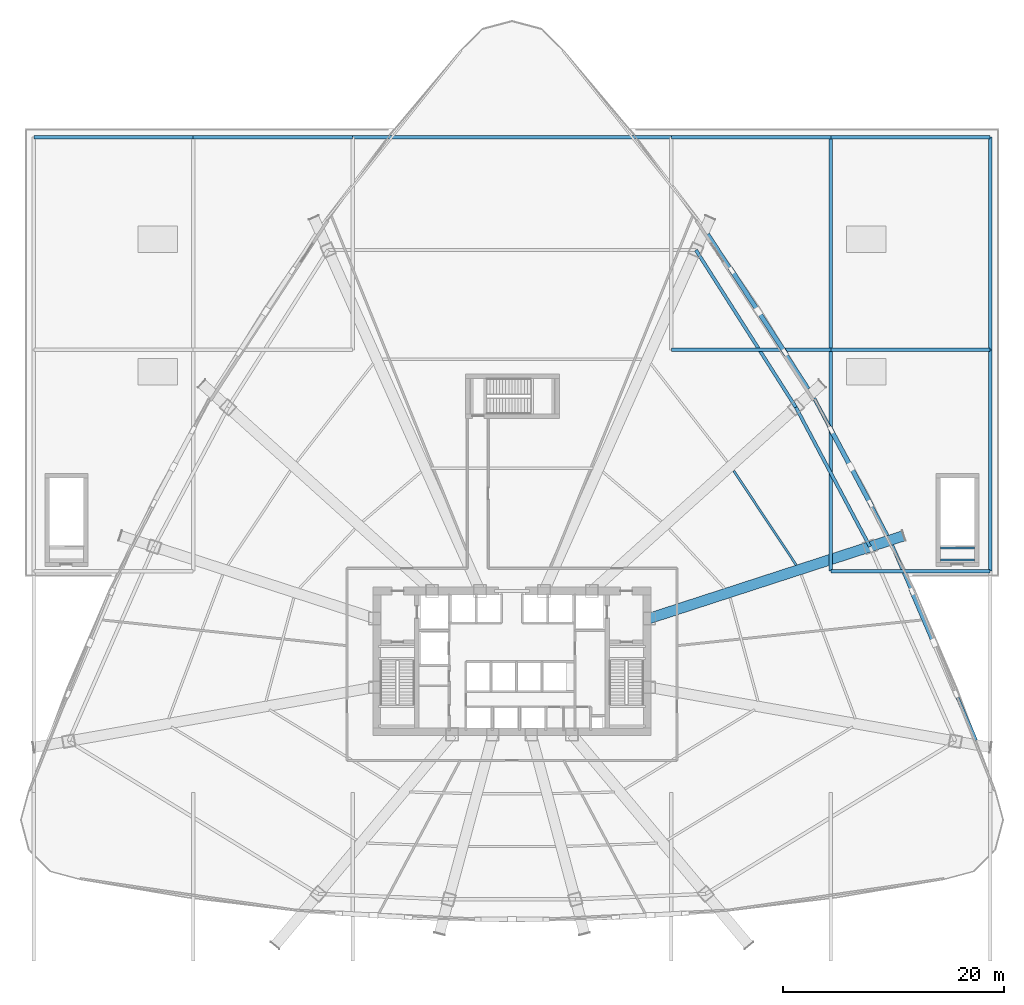
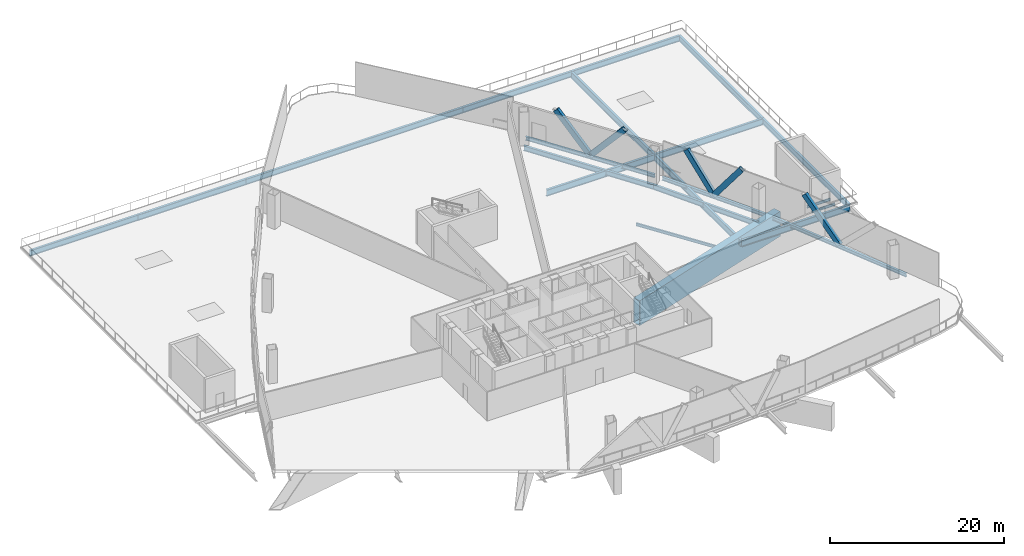
# One storey, part 3 of 18: 21 beams, 5 members.
"""IFC4 building model written with IfcOpenShell, lengths in metres."""

from ifc_helpers import new_model, si_unit, direction, frame, origin, origin_2d, place, context, subcontext, project, spatial, hollow_rectangle, i_section, extrude, source, transform, mapped, material, material_profile, profile_set, type_object, element, save


model = new_model("IFC4")

# Units and contexts
model_context = context("Model", 3, precision=1e-05, world=origin(), true_north=direction((0.0, 1.0)))
body_context = subcontext(model_context, "Body", "Model", "MODEL_VIEW")
ifc_project = project(units=[si_unit("LENGTHUNIT", "METRE"), si_unit("AREAUNIT", "SQUARE_METRE"), si_unit("VOLUMEUNIT", "CUBIC_METRE"), si_unit("PLANEANGLEUNIT", "RADIAN"), si_unit("MASSUNIT", "GRAM", prefix="KILO"), si_unit("THERMODYNAMICTEMPERATUREUNIT", "KELVIN"), si_unit("POWERUNIT", "WATT")], contexts=[model_context])

# Site, building, storey
site_placement = place(None, origin())
site = spatial("IfcSite", under=ifc_project, at=site_placement, CompositionType="ELEMENT")
building_placement = place(site_placement, origin())
building = spatial("IfcBuilding", under=site, at=building_placement, Name="Yunzhuo Pagoda Commons", CompositionType="ELEMENT")
storey_placement = place(building_placement, frame((0.0, 0.0, 25.39990234375)))
storey = spatial("IfcBuildingStorey", under=building, at=storey_placement, Name="L06", CompositionType="ELEMENT", Elevation=25.39990234375)

# Beams
ifc_material_1 = material(Name="Structural steel Q355B", Category="steel")
ifc_material_profile_1 = material_profile(ifc_material_1, i_section(OverallWidth=0.175048828125, OverallDepth=0.35009765625, WebThickness=0.007080078125, FlangeThickness=0.010986328125, at=origin_2d()), Name="Structural steel Q355B")
ifc_profile_set_1 = profile_set([ifc_material_profile_1], Name="Structural steel Q355B")
beam_type_1 = type_object("IfcBeamType", Name="B-JS2 Joist HN 350x175x7x11", PredefinedType="JOIST", material=ifc_profile_set_1)
shared_shape_1 = source(origin(), body_context, "Body", "SweptSolid", [
    extrude(i_section(OverallWidth=0.175048828125, OverallDepth=0.35009765625, WebThickness=0.007080078125, FlangeThickness=0.010986328125, at=origin_2d()), origin(), (0.0, 0.0, 1.0), 3.10009765625),
])
for number, where, z_axis, x_axis, name in (
    (1, (86.699951171875, 43.0, -0.375), (1.0, 0.0, 0.0), (0.0, 1.0, 0.0), "L06 PS4 landing support beam 16A"),
    (2, (86.699951171875, 44.10009765625, -0.375), (1.0, 0.0, 0.0), (0.0, 1.0, 0.0), "L06 PS4 landing support beam 16B"),
):
    element("IfcBeam", number, at=place(storey_placement, frame(where, z_axis=z_axis, x_axis=x_axis)), inside=storey, type_object=beam_type_1, Name=name, PredefinedType="JOIST", context=body_context, shape_type="MappedRepresentation", body=[
        mapped(shared_shape_1, transform((0.0, 0.0, 0.0), scale=1.0)),
    ])
ifc_material_profile_2 = material_profile(ifc_material_1, i_section(OverallWidth=0.300048828125, OverallDepth=0.800048828125, WebThickness=0.013916015625, FlangeThickness=0.02587890625, at=origin_2d()), Name="Structural steel Q355B")
ifc_profile_set_2 = profile_set([ifc_material_profile_2], Name="Structural steel Q355B")
beam_type_2 = type_object("IfcBeamType", Name="B-PD2 Beam HN 800x300x14x26", PredefinedType="BEAM", material=ifc_profile_set_2)
shared_shape_2 = source(origin(), body_context, "Body", "SweptSolid", [
    extrude(i_section(OverallWidth=0.300048828125, OverallDepth=0.800048828125, WebThickness=0.013916015625, FlangeThickness=0.02587890625, at=origin_2d()), origin(), (0.0, 0.0, 1.0), 14.39990234375),
])
for number, where, z_axis, x_axis, name in (
    (3, (4.800048828125, 81.199951171875, -0.679931640625), (1.0, 0.0, 0.0), (0.0, 1.0, 0.0), "L06 podium roof girder EW 3.1"),
    (4, (76.800048828125, 81.199951171875, -0.679931640625), (1.0, 0.0, 0.0), (0.0, 1.0, 0.0), "L06 podium roof girder EW 3.5"),
):
    element("IfcBeam", number, at=place(storey_placement, frame(where, z_axis=z_axis, x_axis=x_axis)), inside=storey, type_object=beam_type_2, Name=name, PredefinedType="BEAM", context=body_context, shape_type="MappedRepresentation", body=[
        mapped(shared_shape_2, transform((0.0, 0.0, 0.0), scale=1.0)),
    ])
shared_shape_3 = source(origin(), body_context, "Body", "SweptSolid", [
    extrude(i_section(OverallWidth=0.300048828125, OverallDepth=0.800048828125, WebThickness=0.013916015625, FlangeThickness=0.02587890625, at=origin_2d()), origin(), (0.0, 0.0, 1.0), 14.400146484375),
])
for number, where, z_axis, x_axis, name in (
    (5, (19.199951171875, 81.199951171875, -0.679931640625), (1.0, 0.0, 0.0), (0.0, 1.0, 0.0), "L06 podium roof girder EW 3.2"),
    (6, (62.39990234375, 81.199951171875, -0.679931640625), (1.0, 0.0, 0.0), (0.0, 1.0, 0.0), "L06 podium roof girder EW 3.4"),
):
    element("IfcBeam", number, at=place(storey_placement, frame(where, z_axis=z_axis, x_axis=x_axis)), inside=storey, type_object=beam_type_2, Name=name, PredefinedType="BEAM", context=body_context, shape_type="MappedRepresentation", body=[
        mapped(shared_shape_3, transform((0.0, 0.0, 0.0), scale=1.0)),
    ])
shared_shape_4 = source(origin(), body_context, "Body", "SweptSolid", [
    extrude(i_section(OverallWidth=0.300048828125, OverallDepth=0.800048828125, WebThickness=0.013916015625, FlangeThickness=0.02587890625, at=origin_2d()), origin(), (0.0, 0.0, 1.0), 28.7998046875),
])
beam_1_placement = place(storey_placement, frame((33.60009765625, 81.199951171875, -0.679931640625), z_axis=(1.0, 0.0, 0.0), x_axis=(0.0, 1.0, 0.0)))
element("IfcBeam", 7, at=beam_1_placement, inside=storey, type_object=beam_type_2, Name="L06 podium roof girder EW 3.3", PredefinedType="BEAM", context=body_context, shape_type="MappedRepresentation", body=[
    mapped(shared_shape_4, transform((0.0, 0.0, 0.0), scale=1.0)),
])
ifc_material_profile_3 = material_profile(ifc_material_1, i_section(OverallWidth=0.300048828125, OverallDepth=0.89990234375, WebThickness=0.01611328125, FlangeThickness=0.028076171875, at=origin_2d()), Name="Structural steel Q355B")
ifc_profile_set_3 = profile_set([ifc_material_profile_3], Name="Structural steel Q355B")
beam_type_3 = type_object("IfcBeamType", Name="B-PD1 Beam HN 900x300x16x28", PredefinedType="BEAM", material=ifc_profile_set_3)
shared_shape_5 = source(origin(), body_context, "Body", "SweptSolid", [
    extrude(i_section(OverallWidth=0.300048828125, OverallDepth=0.89990234375, WebThickness=0.01611328125, FlangeThickness=0.028076171875, at=origin_2d()), origin(), (0.0, 0.0, 1.0), 14.39990234375),
])
for number, where, z_axis, x_axis, name in (
    (8, (76.800048828125, 42.0, -0.72998046875), (1.0, 0.0, 0.0), (0.0, 1.0, 0.0), "L06 podium roof girder EW 1.5"),
    (9, (76.800048828125, 62.0, -0.72998046875), (1.0, 0.0, 0.0), (0.0, 1.0, 0.0), "L06 podium roof girder EW 2.5"),
):
    element("IfcBeam", number, at=place(storey_placement, frame(where, z_axis=z_axis, x_axis=x_axis)), inside=storey, type_object=beam_type_3, Name=name, PredefinedType="BEAM", context=body_context, shape_type="MappedRepresentation", body=[
        mapped(shared_shape_5, transform((0.0, 0.0, 0.0), scale=1.0)),
    ])
shared_shape_6 = source(origin(), body_context, "Body", "SweptSolid", [
    extrude(i_section(OverallWidth=0.300048828125, OverallDepth=0.89990234375, WebThickness=0.01611328125, FlangeThickness=0.028076171875, at=origin_2d()), origin(), (0.0, 0.0, 1.0), 14.400146484375),
])
beam_2_placement = place(storey_placement, frame((62.39990234375, 62.0, -0.72998046875), z_axis=(1.0, 0.0, 0.0), x_axis=(0.0, 1.0, 0.0)))
element("IfcBeam", 10, at=beam_2_placement, inside=storey, type_object=beam_type_3, Name="L06 podium roof girder EW 2.4", PredefinedType="BEAM", context=body_context, shape_type="MappedRepresentation", body=[
    mapped(shared_shape_6, transform((0.0, 0.0, 0.0), scale=1.0)),
])
shared_shape_7 = source(origin(), body_context, "Body", "SweptSolid", [
    extrude(i_section(OverallWidth=0.300048828125, OverallDepth=0.800048828125, WebThickness=0.013916015625, FlangeThickness=0.02587890625, at=origin_2d()), origin(), (0.0, 0.0, 1.0), 20.0),
])
beam_3_placement = place(storey_placement, frame((91.199951171875, 42.0, -0.679931640625), z_axis=(0.0, 1.0, 0.0), x_axis=(-1.0, 0.0, 0.0)))
element("IfcBeam", 11, at=beam_3_placement, inside=storey, type_object=beam_type_2, Name="L06 podium roof girder NS 6.42", PredefinedType="BEAM", context=body_context, shape_type="MappedRepresentation", body=[
    mapped(shared_shape_7, transform((0.0, 0.0, 0.0), scale=1.0)),
])
shared_shape_8 = source(origin(), body_context, "Body", "SweptSolid", [
    extrude(i_section(OverallWidth=0.300048828125, OverallDepth=0.800048828125, WebThickness=0.013916015625, FlangeThickness=0.02587890625, at=origin_2d()), origin(), (0.0, 0.0, 1.0), 19.199951171875),
])
beam_4_placement = place(storey_placement, frame((91.199951171875, 62.0, -0.679931640625), z_axis=(0.0, 1.0, 0.0), x_axis=(-1.0, 0.0, 0.0)))
element("IfcBeam", 12, at=beam_4_placement, inside=storey, type_object=beam_type_2, Name="L06 podium roof girder NS 6.62", PredefinedType="BEAM", context=body_context, shape_type="MappedRepresentation", body=[
    mapped(shared_shape_8, transform((0.0, 0.0, 0.0), scale=1.0)),
])
shared_shape_9 = source(origin(), body_context, "Body", "SweptSolid", [
    extrude(i_section(OverallWidth=0.300048828125, OverallDepth=0.89990234375, WebThickness=0.01611328125, FlangeThickness=0.028076171875, at=origin_2d()), origin(), (0.0, 0.0, 1.0), 20.0),
])
beam_5_placement = place(storey_placement, frame((76.800048828125, 42.0, -0.72998046875), z_axis=(0.0, 1.0, 0.0), x_axis=(-1.0, 0.0, 0.0)))
element("IfcBeam", 13, at=beam_5_placement, inside=storey, type_object=beam_type_3, Name="L06 podium roof girder NS 5.42", PredefinedType="BEAM", context=body_context, shape_type="MappedRepresentation", body=[
    mapped(shared_shape_9, transform((0.0, 0.0, 0.0), scale=1.0)),
])
shared_shape_10 = source(origin(), body_context, "Body", "SweptSolid", [
    extrude(i_section(OverallWidth=0.300048828125, OverallDepth=0.89990234375, WebThickness=0.01611328125, FlangeThickness=0.028076171875, at=origin_2d()), origin(), (0.0, 0.0, 1.0), 19.199951171875),
])
beam_6_placement = place(storey_placement, frame((76.800048828125, 62.0, -0.72998046875), z_axis=(0.0, 1.0, 0.0), x_axis=(-1.0, 0.0, 0.0)))
element("IfcBeam", 14, at=beam_6_placement, inside=storey, type_object=beam_type_3, Name="L06 podium roof girder NS 5.62", PredefinedType="BEAM", context=body_context, shape_type="MappedRepresentation", body=[
    mapped(shared_shape_10, transform((0.0, 0.0, 0.0), scale=1.0)),
])
ifc_material_2 = material(Name="Structural steel Q420B", Category="steel")
ifc_material_profile_4 = material_profile(ifc_material_2, hollow_rectangle(XDim=0.949951171875, YDim=3.5, WallThickness=0.050048828125, at=origin_2d()), Name="Structural steel Q420B")
ifc_profile_set_4 = profile_set([ifc_material_profile_4], Name="Structural steel Q420B")
beam_type_4 = type_object("IfcBeamType", Name="BTR-1 Beam BOX 3500x950x50", PredefinedType="BEAM", material=ifc_profile_set_4)
shared_shape_11 = source(origin(), body_context, "Body", "SweptSolid", [
    extrude(hollow_rectangle(XDim=0.949951171875, YDim=3.5, WallThickness=0.050048828125, at=origin_2d()), origin(), (0.0, 0.0, 1.0), 24.16162109375),
])
beam_7_placement = place(storey_placement, frame((83.37890625, 45.195556640625, -2.02978515625), z_axis=(-0.95105381879, -0.309025296318, 0.0), x_axis=(0.309025296318, -0.95105381879, 0.0)))
element("IfcBeam", 15, at=beam_7_placement, inside=storey, type_object=beam_type_4, Name="BTR-1 L06 collinear transfer girder F2C2", PredefinedType="BEAM", context=body_context, shape_type="MappedRepresentation", body=[
    mapped(shared_shape_11, transform((0.0, 0.0, 0.0), scale=1.0)),
])
ifc_material_profile_5 = material_profile(ifc_material_1, i_section(OverallWidth=0.300048828125, OverallDepth=0.488037109375, WebThickness=0.010986328125, FlangeThickness=0.01806640625, at=origin_2d()), Name="Structural steel Q355B")
ifc_profile_set_5 = profile_set([ifc_material_profile_5], Name="Structural steel Q355B")
beam_type_5 = type_object("IfcBeamType", Name="B-SP1 Beam HM 488x300x11x18", PredefinedType="BEAM", material=ifc_profile_set_5)
shared_shape_12 = source(origin(), body_context, "Body", "SweptSolid", [
    extrude(i_section(OverallWidth=0.300048828125, OverallDepth=0.488037109375, WebThickness=0.010986328125, FlangeThickness=0.01806640625, at=origin_2d()), origin(), (0.0, 0.0, 1.0), 19.173583984375),
])
beam_8_placement = place(storey_placement, frame((89.90478515625, 26.72705078125, -0.52392578125), z_axis=(-0.394831945063, 0.918753359264, 0.0), x_axis=(-0.918753359264, -0.394831945063, 0.0)))
element("IfcBeam", 16, at=beam_8_placement, inside=storey, type_object=beam_type_5, Name="L06 facade edge spandrel beam F2.1", PredefinedType="BEAM", context=body_context, shape_type="MappedRepresentation", body=[
    mapped(shared_shape_12, transform((0.0, 0.0, 0.0), scale=1.0)),
])
shared_shape_13 = source(origin(), body_context, "Body", "SweptSolid", [
    extrude(i_section(OverallWidth=0.300048828125, OverallDepth=0.488037109375, WebThickness=0.010986328125, FlangeThickness=0.01806640625, at=origin_2d()), origin(), (0.0, 0.0, 1.0), 14.061767578125),
])
beam_9_placement = place(storey_placement, frame((81.909912109375, 45.22509765625, -0.52392578125), z_axis=(-0.47097838322, 0.882144751466, 0.0), x_axis=(-0.882144751466, -0.47097838322, 0.0)))
element("IfcBeam", 17, at=beam_9_placement, inside=storey, type_object=beam_type_5, Name="L06 facade edge spandrel beam F2.2", PredefinedType="BEAM", context=body_context, shape_type="MappedRepresentation", body=[
    mapped(shared_shape_13, transform((0.0, 0.0, 0.0), scale=1.0)),
])
shared_shape_14 = source(origin(), body_context, "Body", "SweptSolid", [
    extrude(i_section(OverallWidth=0.300048828125, OverallDepth=0.488037109375, WebThickness=0.010986328125, FlangeThickness=0.01806640625, at=origin_2d()), origin(), (0.0, 0.0, 1.0), 16.676513671875),
])
beam_10_placement = place(storey_placement, frame((74.78955078125, 58.47265625, -0.52392578125), z_axis=(-0.544670302995, 0.838650261453, 0.0), x_axis=(-0.838650261453, -0.544670302995, 0.0)))
element("IfcBeam", 18, at=beam_10_placement, inside=storey, type_object=beam_type_5, Name="L06 facade edge spandrel beam F2.3", PredefinedType="BEAM", context=body_context, shape_type="MappedRepresentation", body=[
    mapped(shared_shape_14, transform((0.0, 0.0, 0.0), scale=1.0)),
])
ifc_material_profile_6 = material_profile(ifc_material_1, i_section(OverallWidth=0.300048828125, OverallDepth=0.699951171875, WebThickness=0.012939453125, FlangeThickness=0.02392578125, at=origin_2d()), Name="Structural steel Q355B")
ifc_profile_set_6 = profile_set([ifc_material_profile_6], Name="Structural steel Q355B")
beam_type_6 = type_object("IfcBeamType", Name="B-RG1 Beam HN 700x300x13x24", PredefinedType="BEAM", material=ifc_profile_set_6)
shared_shape_15 = source(origin(), body_context, "Body", "SweptSolid", [
    extrude(i_section(OverallWidth=0.300048828125, OverallDepth=0.699951171875, WebThickness=0.012939453125, FlangeThickness=0.02392578125, at=origin_2d()), origin(), (0.0, 0.0, 1.0), 14.25390625),
])
beam_11_placement = place(storey_placement, frame((80.33544921875, 44.206298828125, -0.629638671875), z_axis=(-0.469118073628, 0.883135455633, 0.0), x_axis=(-0.883135455633, -0.469118073628, 0.0)))
element("IfcBeam", 19, at=beam_11_placement, inside=storey, type_object=beam_type_6, Name="L06 column-ring beam 6", PredefinedType="BEAM", context=body_context, shape_type="MappedRepresentation", body=[
    mapped(shared_shape_15, transform((0.0, 0.0, 0.0), scale=1.0)),
])
ifc_material_profile_7 = material_profile(ifc_material_1, i_section(OverallWidth=0.199951171875, OverallDepth=0.39990234375, WebThickness=0.008056640625, FlangeThickness=0.012939453125, at=origin_2d()), Name="Structural steel Q355B")
ifc_profile_set_7 = profile_set([ifc_material_profile_7], Name="Structural steel Q355B")
beam_type_7 = type_object("IfcBeamType", Name="B-JS1 Joist HN 400x200x8x13", PredefinedType="JOIST", material=ifc_profile_set_7)
shared_shape_16 = source(origin(), body_context, "Body", "SweptSolid", [
    extrude(i_section(OverallWidth=0.199951171875, OverallDepth=0.39990234375, WebThickness=0.008056640625, FlangeThickness=0.012939453125, at=origin_2d()), origin(), (0.0, 0.0, 1.0), 10.21484375),
])
beam_12_placement = place(storey_placement, frame((73.677734375, 42.55322265625, -0.47998046875), z_axis=(-0.55293950697, 0.833221400129, 0.0), x_axis=(-0.833221400129, -0.55293950697, 0.0)))
element("IfcBeam", 20, at=beam_12_placement, inside=storey, type_object=beam_type_7, Name="L06 composite ring joist 2.6", PredefinedType="JOIST", context=body_context, shape_type="MappedRepresentation", body=[
    mapped(shared_shape_16, transform((0.0, 0.0, 0.0), scale=1.0)),
])
shared_shape_17 = source(origin(), body_context, "Body", "SweptSolid", [
    extrude(i_section(OverallWidth=0.300048828125, OverallDepth=0.699951171875, WebThickness=0.012939453125, FlangeThickness=0.02392578125, at=origin_2d()), origin(), (0.0, 0.0, 1.0), 16.843994140625),
])
beam_13_placement = place(storey_placement, frame((73.648681640625, 56.79443359375, -0.629638671875), z_axis=(-0.536558458992, 0.843863152462, 0.0), x_axis=(-0.843863152462, -0.536558458992, 0.0)))
element("IfcBeam", 21, at=beam_13_placement, inside=storey, type_object=beam_type_6, Name="L06 column-ring beam 7", PredefinedType="BEAM", context=body_context, shape_type="MappedRepresentation", body=[
    mapped(shared_shape_17, transform((0.0, 0.0, 0.0), scale=1.0)),
])

# Members
ifc_material_profile_8 = material_profile(ifc_material_2, hollow_rectangle(XDim=0.419921875, YDim=0.719970703125, WallThickness=0.028076171875, at=origin_2d()), Name="Structural steel Q420B")
ifc_profile_set_8 = profile_set([ifc_material_profile_8], Name="Structural steel Q420B")
member_type = type_object("IfcMemberType", Name="M-DL1 Brace BOX 720x420x28", PredefinedType="BRACE", material=ifc_profile_set_8)
shared_shape_18 = source(origin(), body_context, "Body", "SweptSolid", [
    extrude(hollow_rectangle(XDim=0.419921875, YDim=0.719970703125, WallThickness=0.028076171875, at=origin_2d()), origin(), (0.0, 0.0, 1.0), 7.112548828125),
])
member_1_placement = place(storey_placement, frame((86.11962890625, 35.534912109375, -0.27978515625), z_axis=(-0.279719354697, 0.650882120967, 0.705768763274), x_axis=(-0.918751106015, -0.394837188214, 0.0)))
element("IfcMember", 22, at=member_1_placement, inside=storey, type_object=member_type, Name="L06 facade diamond brace F2.1R", PredefinedType="BRACE", context=body_context, shape_type="MappedRepresentation", body=[
    mapped(shared_shape_18, transform((0.0, 0.0, 0.0), scale=1.0)),
])
shared_shape_19 = source(origin(), body_context, "Body", "SweptSolid", [
    extrude(hollow_rectangle(XDim=0.419921875, YDim=0.719970703125, WallThickness=0.028076171875, at=origin_2d()), origin(), (0.0, 0.0, 1.0), 6.272216796875),
])
member_2_placement = place(storey_placement, frame((78.598388671875, 51.427490234375, -0.27978515625), z_axis=(0.282395466684, -0.528902770682, 0.800321597585), x_axis=(0.882135398072, 0.470995901753, 0.0)))
element("IfcMember", 23, at=member_2_placement, inside=storey, type_object=member_type, Name="L06 facade diamond brace F2.2L", PredefinedType="BRACE", context=body_context, shape_type="MappedRepresentation", body=[
    mapped(shared_shape_19, transform((0.0, 0.0, 0.0), scale=1.0)),
])
shared_shape_20 = source(origin(), body_context, "Body", "SweptSolid", [
    extrude(hollow_rectangle(XDim=0.419921875, YDim=0.719970703125, WallThickness=0.028076171875, at=origin_2d()), origin(), (0.0, 0.0, 1.0), 6.27197265625),
])
member_3_placement = place(storey_placement, frame((78.598388671875, 51.427490234375, -0.27978515625), z_axis=(-0.282371272015, 0.528852509181, 0.800363347657), x_axis=(-0.882133567562, -0.470999330126, 0.0)))
element("IfcMember", 24, at=member_3_placement, inside=storey, type_object=member_type, Name="L06 facade diamond brace F2.2R", PredefinedType="BRACE", context=body_context, shape_type="MappedRepresentation", body=[
    mapped(shared_shape_20, transform((0.0, 0.0, 0.0), scale=1.0)),
])
shared_shape_21 = source(origin(), body_context, "Body", "SweptSolid", [
    extrude(hollow_rectangle(XDim=0.419921875, YDim=0.719970703125, WallThickness=0.028076171875, at=origin_2d()), origin(), (0.0, 0.0, 1.0), 6.6845703125),
])
for number, where, z_axis, x_axis, name in (
    (25, (70.247802734375, 65.465576171875, -0.27978515625), (0.359680997911, -0.553802088883, 0.750954609874), (0.838644478303, 0.544679207435, 0.0), "L06 facade diamond brace F2.3L"),
    (26, (70.247802734375, 65.465576171875, -0.27978515625), (-0.359673722748, 0.553827409805, 0.750939420535), (-0.838660885868, -0.544653943816, 0.0), "L06 facade diamond brace F2.3R"),
):
    element("IfcMember", number, at=place(storey_placement, frame(where, z_axis=z_axis, x_axis=x_axis)), inside=storey, type_object=member_type, Name=name, PredefinedType="BRACE", context=body_context, shape_type="MappedRepresentation", body=[
        mapped(shared_shape_21, transform((0.0, 0.0, 0.0), scale=1.0)),
    ])

save(model, "model.ifc")
